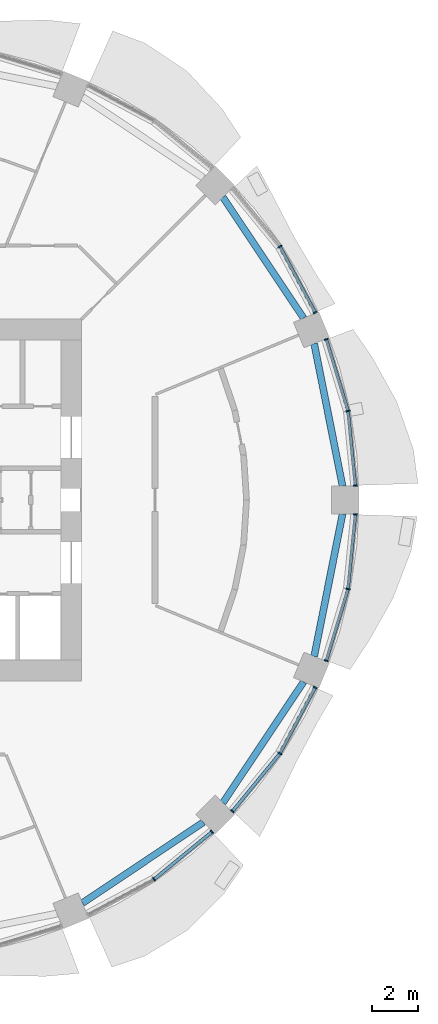
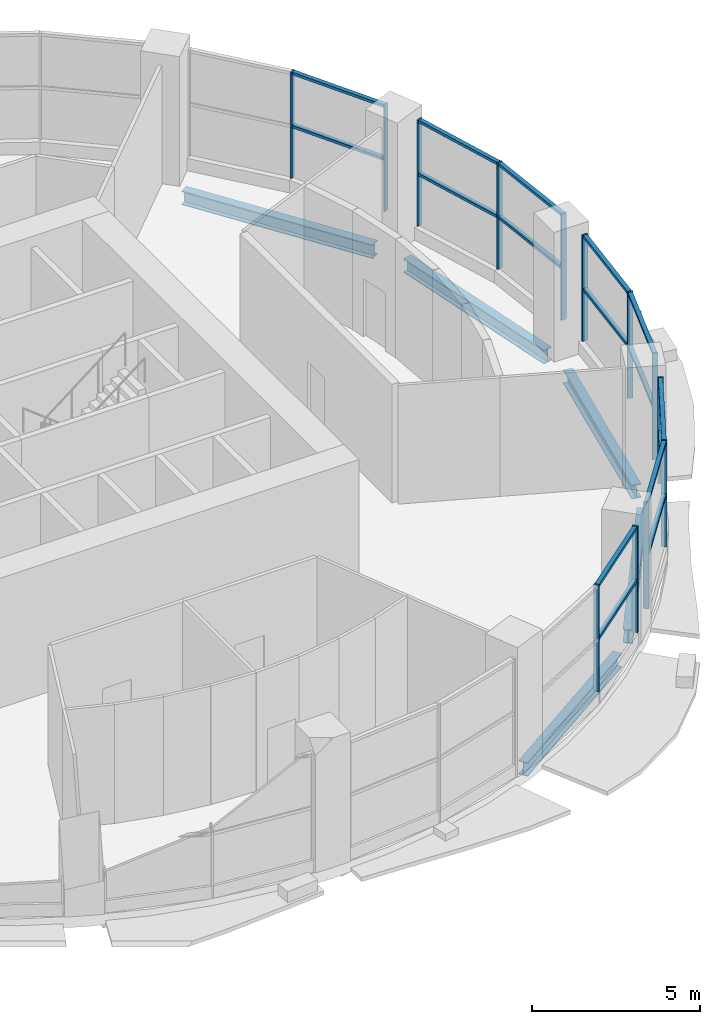
# One storey, part 4 of 14: 29 members, 5 beams, 5 elements without a shape of their own.
"""IFC4 building model written with IfcOpenShell, lengths in metres."""

from ifc_helpers import new_model, si_unit, direction, frame, origin, origin_2d, place, context, subcontext, project, spatial, rectangle, i_section, extrude, material, material_profile, profile_set, type_object, element, aggregate, save


model = new_model("IFC4")

# Units and contexts
model_context = context("Model", 3, precision=1e-05, world=origin(), true_north=direction((0.0, 1.0)))
body_context = subcontext(model_context, "Body", "Model", "MODEL_VIEW")
ifc_project = project(units=[si_unit("LENGTHUNIT", "METRE"), si_unit("AREAUNIT", "SQUARE_METRE"), si_unit("VOLUMEUNIT", "CUBIC_METRE"), si_unit("PLANEANGLEUNIT", "RADIAN"), si_unit("MASSUNIT", "GRAM", prefix="KILO")], contexts=[model_context])

# Site, building, storey
site_placement = place(None, origin())
site = spatial("IfcSite", under=ifc_project, at=site_placement, CompositionType="ELEMENT")
building_placement = place(site_placement, origin())
building = spatial("IfcBuilding", under=site, at=building_placement, Name="Polderwave Tower", CompositionType="ELEMENT")
storey_placement = place(building_placement, frame((0.0, 0.0, 5.199951171875)))
storey = spatial("IfcBuildingStorey", under=building, at=storey_placement, Name="L01", CompositionType="ELEMENT", Elevation=5.199951171875)

# Beams
ifc_material_1 = material(Name="Steel S355", Category="steel")
ifc_material_profile_1 = material_profile(ifc_material_1, i_section(OverallWidth=0.300048828125, OverallDepth=0.5, WebThickness=0.014404296875, FlangeThickness=0.028076171875, at=origin_2d()), Name="HE 500 B")
ifc_profile_set_1 = profile_set([ifc_material_profile_1], Name="Steel S355")
beam_type = type_object("IfcBeamType", Name="RING BEAM HE 500 B", PredefinedType="BEAM", material=ifc_profile_set_1)
for number, where, z_axis, x_axis, name in (
    (1, (19.24072265625, 0.60009765625, -0.64990234375), (-0.195107371928, 0.980781888811, 0.0), (-0.980781888811, -0.195107371928, 0.0), "ST-RB-L01-00"),
    (2, (17.54638671875, 7.91748046875, -0.64990234375), (-0.55556321377, 0.831474302372, 0.0), (-0.831474302372, -0.55556321377, 0.0), "ST-RB-L01-01"),
    (3, (7.91748046875, -17.54638671875, -0.64990234375), (0.831474302372, 0.55556321377, 0.0), (-0.55556321377, 0.831474302372, 0.0), "ST-RB-L01-13"),
    (4, (14.029541015625, -13.180908203125, -0.64990234375), (0.55556321377, 0.831474302372, 0.0), (-0.831474302372, 0.55556321377, 0.0), "ST-RB-L01-14"),
    (5, (18.005615234375, -6.808837890625, -0.64990234375), (0.195107371928, 0.980781888811, 0.0), (-0.980781888811, 0.195107371928, 0.0), "ST-RB-L01-15"),
):
    element("IfcBeam", number, at=place(storey_placement, frame(where, z_axis=z_axis, x_axis=x_axis)), inside=storey, type_object=beam_type, Name=name, PredefinedType="BEAM", context=body_context, shape_type="SweptSolid", body=[
        extrude(i_section(OverallWidth=0.300048828125, OverallDepth=0.5, WebThickness=0.014404296875, FlangeThickness=0.028076171875, at=origin_2d()), origin(), (0.0, 0.0, 1.0), 6.330322265625),
    ])

# Curtain wall, members
ifc_material_2 = material(Name="Aluminium 6063-T6 and glass", Category="aluminium")
curtain_wall_type = type_object("IfcCurtainWallType", Name="Shopfront glazing wall", PredefinedType="NOTDEFINED", material=ifc_material_2)
curtain_wall_1_placement = place(storey_placement, origin())
curtain_wall_1 = element("IfcCurtainWall", 6, at=curtain_wall_1_placement, inside=storey, type_object=curtain_wall_type, Name="CW1 L01 00", PredefinedType="NOTDEFINED")
ifc_material_3 = material(Name="Aluminium 6063-T6", Category="aluminium")
ifc_material_profile_2 = material_profile(ifc_material_3, rectangle(XDim=0.179931640625, YDim=0.06005859375, at=origin_2d()), Name="AL 60x180")
ifc_profile_set_2 = profile_set([ifc_material_profile_2], Name="Aluminium 6063-T6")
member_type_1 = type_object("IfcMemberType", Name="Shopfront glazing mullion 60x180", PredefinedType="MULLION", material=ifc_profile_set_2)
member_1_placement = place(storey_placement, frame((19.798095703125, 0.6298828125, 0.449951171875), z_axis=(0.0, 0.0, 1.0), x_axis=(-0.99516880385, -0.098178673064, 0.0)))
member_1 = element("IfcMember", 7, at=member_1_placement, type_object=member_type_1, Name="CW1 mullion 1", PredefinedType="MULLION", context=body_context, shape_type="SweptSolid", body=[
    extrude(rectangle(XDim=0.179931640625, YDim=0.06005859375, at=origin_2d()), origin(), (0.0, 0.0, 1.0), 3.85009765625),
])
member_2_placement = place(storey_placement, frame((19.47802734375, 3.8740234375, 0.449951171875), z_axis=(0.0, 0.0, 1.0), x_axis=(-0.980776085899, -0.195136540217, 0.0)))
member_2 = element("IfcMember", 8, at=member_2_placement, type_object=member_type_1, Name="CW1 mullion 2", PredefinedType="MULLION", context=body_context, shape_type="SweptSolid", body=[
    extrude(rectangle(XDim=0.179931640625, YDim=0.06005859375, at=origin_2d()), origin(), (0.0, 0.0, 1.0), 3.85009765625),
])
member_3_placement = place(storey_placement, frame((18.53173828125, 6.994384765625, 0.449951171875), z_axis=(0.0, 0.0, 1.0), x_axis=(-0.956960599094, -0.290217869509, 0.0)))
member_3 = element("IfcMember", 9, at=member_3_placement, type_object=member_type_1, Name="CW1 mullion 3", PredefinedType="MULLION", context=body_context, shape_type="SweptSolid", body=[
    extrude(rectangle(XDim=0.179931640625, YDim=0.06005859375, at=origin_2d()), origin(), (0.0, 0.0, 1.0), 3.85009765625),
])

curtain_wall_2_placement = place(storey_placement, origin())
curtain_wall_2 = element("IfcCurtainWall", 10, at=curtain_wall_2_placement, inside=storey, type_object=curtain_wall_type, Name="CW1 L01 01", PredefinedType="NOTDEFINED")
member_4_placement = place(storey_placement, frame((18.0498046875, 8.158447265625, 0.449951171875), z_axis=(0.0, 0.0, 1.0), x_axis=(-0.881940186716, -0.471361333858, 0.0)))
member_4 = element("IfcMember", 11, at=member_4_placement, type_object=member_type_1, Name="CW1 mullion 1", PredefinedType="MULLION", context=body_context, shape_type="SweptSolid", body=[
    extrude(rectangle(XDim=0.179931640625, YDim=0.06005859375, at=origin_2d()), origin(), (0.0, 0.0, 1.0), 3.85009765625),
])
member_5_placement = place(storey_placement, frame((16.512939453125, 11.033935546875, 0.449951171875), z_axis=(0.0, 0.0, 1.0), x_axis=(-0.831480278332, -0.555554269847, 0.0)))
member_5 = element("IfcMember", 12, at=member_5_placement, type_object=member_type_1, Name="CW1 mullion 2", PredefinedType="MULLION", context=body_context, shape_type="SweptSolid", body=[
    extrude(rectangle(XDim=0.179931640625, YDim=0.06005859375, at=origin_2d()), origin(), (0.0, 0.0, 1.0), 3.85009765625),
])

curtain_wall_3_placement = place(storey_placement, origin())
curtain_wall_3 = element("IfcCurtainWall", 13, at=curtain_wall_3_placement, inside=storey, type_object=curtain_wall_type, Name="CW1 L01 13", PredefinedType="NOTDEFINED")
member_6_placement = place(storey_placement, frame((11.033935546875, -16.512939453125, 0.449951171875), z_axis=(0.0, 0.0, 1.0), x_axis=(-0.555554269847, 0.831480278332, 0.0)))
member_6 = element("IfcMember", 14, at=member_6_placement, type_object=member_type_1, Name="CW1 mullion 2", PredefinedType="MULLION", context=body_context, shape_type="SweptSolid", body=[
    extrude(rectangle(XDim=0.179931640625, YDim=0.06005859375, at=origin_2d()), origin(), (0.0, 0.0, 1.0), 3.85009765625),
])
member_7_placement = place(storey_placement, frame((13.5537109375, -14.445068359375, 0.449951171875), z_axis=(0.0, 0.0, 1.0), x_axis=(-0.634395982475, 0.773008238908, 0.0)))
member_7 = element("IfcMember", 15, at=member_7_placement, type_object=member_type_1, Name="CW1 mullion 3", PredefinedType="MULLION", context=body_context, shape_type="SweptSolid", body=[
    extrude(rectangle(XDim=0.179931640625, YDim=0.06005859375, at=origin_2d()), origin(), (0.0, 0.0, 1.0), 3.85009765625),
])

curtain_wall_4_placement = place(storey_placement, origin())
curtain_wall_4 = element("IfcCurtainWall", 16, at=curtain_wall_4_placement, inside=storey, type_object=curtain_wall_type, Name="CW1 L01 14", PredefinedType="NOTDEFINED")
member_8_placement = place(storey_placement, frame((14.445068359375, -13.5537109375, 0.449951171875), z_axis=(0.0, 0.0, 1.0), x_axis=(-0.773008238908, 0.634395982475, 0.0)))
member_8 = element("IfcMember", 17, at=member_8_placement, type_object=member_type_1, Name="CW1 mullion 1", PredefinedType="MULLION", context=body_context, shape_type="SweptSolid", body=[
    extrude(rectangle(XDim=0.179931640625, YDim=0.06005859375, at=origin_2d()), origin(), (0.0, 0.0, 1.0), 3.85009765625),
])
member_9_placement = place(storey_placement, frame((16.512939453125, -11.033935546875, 0.449951171875), z_axis=(0.0, 0.0, 1.0), x_axis=(-0.831480278332, 0.555554269847, 0.0)))
member_9 = element("IfcMember", 18, at=member_9_placement, type_object=member_type_1, Name="CW1 mullion 2", PredefinedType="MULLION", context=body_context, shape_type="SweptSolid", body=[
    extrude(rectangle(XDim=0.179931640625, YDim=0.06005859375, at=origin_2d()), origin(), (0.0, 0.0, 1.0), 3.85009765625),
])
member_10_placement = place(storey_placement, frame((18.0498046875, -8.158447265625, 0.449951171875), z_axis=(0.0, 0.0, 1.0), x_axis=(-0.881940186716, 0.471361333858, 0.0)))
member_10 = element("IfcMember", 19, at=member_10_placement, type_object=member_type_1, Name="CW1 mullion 3", PredefinedType="MULLION", context=body_context, shape_type="SweptSolid", body=[
    extrude(rectangle(XDim=0.179931640625, YDim=0.06005859375, at=origin_2d()), origin(), (0.0, 0.0, 1.0), 3.85009765625),
])

curtain_wall_5_placement = place(storey_placement, origin())
curtain_wall_5 = element("IfcCurtainWall", 20, at=curtain_wall_5_placement, inside=storey, type_object=curtain_wall_type, Name="CW1 L01 15", PredefinedType="NOTDEFINED")
member_11_placement = place(storey_placement, frame((18.53173828125, -6.994384765625, 0.449951171875), z_axis=(0.0, 0.0, 1.0), x_axis=(-0.956960599094, 0.290217869509, 0.0)))
member_11 = element("IfcMember", 21, at=member_11_placement, type_object=member_type_1, Name="CW1 mullion 1", PredefinedType="MULLION", context=body_context, shape_type="SweptSolid", body=[
    extrude(rectangle(XDim=0.179931640625, YDim=0.06005859375, at=origin_2d()), origin(), (0.0, 0.0, 1.0), 3.85009765625),
])
member_12_placement = place(storey_placement, frame((19.47802734375, -3.8740234375, 0.449951171875), z_axis=(0.0, 0.0, 1.0), x_axis=(-0.980776085899, 0.195136540217, 0.0)))
member_12 = element("IfcMember", 22, at=member_12_placement, type_object=member_type_1, Name="CW1 mullion 2", PredefinedType="MULLION", context=body_context, shape_type="SweptSolid", body=[
    extrude(rectangle(XDim=0.179931640625, YDim=0.06005859375, at=origin_2d()), origin(), (0.0, 0.0, 1.0), 3.85009765625),
])
member_13_placement = place(storey_placement, frame((19.798095703125, -0.6298828125, 0.449951171875), z_axis=(0.0, 0.0, 1.0), x_axis=(-0.99516880385, 0.098178673064, 0.0)))
member_13 = element("IfcMember", 23, at=member_13_placement, type_object=member_type_1, Name="CW1 mullion 3", PredefinedType="MULLION", context=body_context, shape_type="SweptSolid", body=[
    extrude(rectangle(XDim=0.179931640625, YDim=0.06005859375, at=origin_2d()), origin(), (0.0, 0.0, 1.0), 3.85009765625),
])

# Member
ifc_material_profile_3 = material_profile(ifc_material_3, rectangle(XDim=0.139892578125, YDim=0.10009765625, at=origin_2d()), Name="AL 100x140")
ifc_profile_set_3 = profile_set([ifc_material_profile_3], Name="Aluminium 6063-T6")
member_type_2 = type_object("IfcMemberType", Name="Shopfront glazing transom 100x140", PredefinedType="USERDEFINED", material=ifc_profile_set_3)
member_14_placement = place(storey_placement, frame((19.795166015625, 0.65966796875, 2.324951171875), z_axis=(-0.098196730628, 0.99516702221, 0.0), x_axis=(-0.99516702221, -0.098196730628, 0.0)))
member_14 = element("IfcMember", 24, at=member_14_placement, type_object=member_type_2, Name="CW1 transom 1", ObjectType="TRANSOM", PredefinedType="USERDEFINED", context=body_context, shape_type="SweptSolid", body=[
    extrude(rectangle(XDim=0.139892578125, YDim=0.10009765625, at=origin_2d()), origin(), (0.0, 0.0, 1.0), 3.19970703125),
])

member_15_placement = place(storey_placement, frame((19.795166015625, 0.65966796875, 4.25), z_axis=(-0.098196730628, 0.99516702221, 0.0), x_axis=(-0.99516702221, -0.098196730628, 0.0)))
member_15 = element("IfcMember", 25, at=member_15_placement, type_object=member_type_2, Name="CW1 transom 2", ObjectType="TRANSOM", PredefinedType="USERDEFINED", context=body_context, shape_type="SweptSolid", body=[
    extrude(rectangle(XDim=0.139892578125, YDim=0.10009765625, at=origin_2d()), origin(), (0.0, 0.0, 1.0), 3.19970703125),
])

member_16_placement = place(storey_placement, frame((19.46923828125, 3.902587890625, 2.324951171875), z_axis=(-0.290229671629, 0.95695701978, 0.0), x_axis=(-0.95695701978, -0.290229671629, 0.0)))
member_16 = element("IfcMember", 26, at=member_16_placement, type_object=member_type_2, Name="CW1 transom 3", ObjectType="TRANSOM", PredefinedType="USERDEFINED", context=body_context, shape_type="SweptSolid", body=[
    extrude(rectangle(XDim=0.139892578125, YDim=0.10009765625, at=origin_2d()), origin(), (0.0, 0.0, 1.0), 3.20068359375),
])

member_17_placement = place(storey_placement, frame((19.46923828125, 3.902587890625, 4.25), z_axis=(-0.290229671629, 0.95695701978, 0.0), x_axis=(-0.95695701978, -0.290229671629, 0.0)))
member_17 = element("IfcMember", 27, at=member_17_placement, type_object=member_type_2, Name="CW1 transom 4", ObjectType="TRANSOM", PredefinedType="USERDEFINED", context=body_context, shape_type="SweptSolid", body=[
    extrude(rectangle(XDim=0.139892578125, YDim=0.10009765625, at=origin_2d()), origin(), (0.0, 0.0, 1.0), 3.20068359375),
])

aggregate(curtain_wall_1, [member_1, member_2, member_3, member_14, member_15, member_16, member_17])

member_18_placement = place(storey_placement, frame((18.03564453125, 8.184814453125, 2.324951171875), z_axis=(-0.471336352659, 0.8819535377, 0.0), x_axis=(-0.8819535377, -0.471336352659, 0.0)))
member_18 = element("IfcMember", 28, at=member_18_placement, type_object=member_type_2, Name="CW1 transom 1", ObjectType="TRANSOM", PredefinedType="USERDEFINED", context=body_context, shape_type="SweptSolid", body=[
    extrude(rectangle(XDim=0.139892578125, YDim=0.10009765625, at=origin_2d()), origin(), (0.0, 0.0, 1.0), 3.20068359375),
])

member_19_placement = place(storey_placement, frame((18.03564453125, 8.184814453125, 4.25), z_axis=(-0.471336352659, 0.8819535377, 0.0), x_axis=(-0.8819535377, -0.471336352659, 0.0)))
member_19 = element("IfcMember", 29, at=member_19_placement, type_object=member_type_2, Name="CW1 transom 2", ObjectType="TRANSOM", PredefinedType="USERDEFINED", context=body_context, shape_type="SweptSolid", body=[
    extrude(rectangle(XDim=0.139892578125, YDim=0.10009765625, at=origin_2d()), origin(), (0.0, 0.0, 1.0), 3.20068359375),
])

aggregate(curtain_wall_2, [member_4, member_5, member_18, member_19])

member_20_placement = place(storey_placement, frame((11.05712890625, -16.493896484375, 2.324951171875), z_axis=(0.773021560093, 0.634379750332, 0.0), x_axis=(-0.634379750332, 0.773021560093, 0.0)))
member_20 = element("IfcMember", 30, at=member_20_placement, type_object=member_type_2, Name="CW1 transom 3", ObjectType="TRANSOM", PredefinedType="USERDEFINED", context=body_context, shape_type="SweptSolid", body=[
    extrude(rectangle(XDim=0.139892578125, YDim=0.10009765625, at=origin_2d()), origin(), (0.0, 0.0, 1.0), 3.19970703125),
])

member_21_placement = place(storey_placement, frame((11.05712890625, -16.493896484375, 4.25), z_axis=(0.773021560093, 0.634379750332, 0.0), x_axis=(-0.634379750332, 0.773021560093, 0.0)))
member_21 = element("IfcMember", 31, at=member_21_placement, type_object=member_type_2, Name="CW1 transom 4", ObjectType="TRANSOM", PredefinedType="USERDEFINED", context=body_context, shape_type="SweptSolid", body=[
    extrude(rectangle(XDim=0.139892578125, YDim=0.10009765625, at=origin_2d()), origin(), (0.0, 0.0, 1.0), 3.19970703125),
])

aggregate(curtain_wall_3, [member_6, member_7, member_20, member_21])

member_22_placement = place(storey_placement, frame((14.464111328125, -13.530517578125, 2.324951171875), z_axis=(0.634379750332, 0.773021560093, 0.0), x_axis=(-0.773021560093, 0.634379750332, 0.0)))
member_22 = element("IfcMember", 32, at=member_22_placement, type_object=member_type_2, Name="CW1 transom 1", ObjectType="TRANSOM", PredefinedType="USERDEFINED", context=body_context, shape_type="SweptSolid", body=[
    extrude(rectangle(XDim=0.139892578125, YDim=0.10009765625, at=origin_2d()), origin(), (0.0, 0.0, 1.0), 3.19970703125),
])

member_23_placement = place(storey_placement, frame((14.464111328125, -13.530517578125, 4.25), z_axis=(0.634379750332, 0.773021560093, 0.0), x_axis=(-0.773021560093, 0.634379750332, 0.0)))
member_23 = element("IfcMember", 33, at=member_23_placement, type_object=member_type_2, Name="CW1 transom 2", ObjectType="TRANSOM", PredefinedType="USERDEFINED", context=body_context, shape_type="SweptSolid", body=[
    extrude(rectangle(XDim=0.139892578125, YDim=0.10009765625, at=origin_2d()), origin(), (0.0, 0.0, 1.0), 3.19970703125),
])

member_24_placement = place(storey_placement, frame((16.527099609375, -11.007568359375, 2.324951171875), z_axis=(0.471336352659, 0.8819535377, 0.0), x_axis=(-0.8819535377, 0.471336352659, 0.0)))
member_24 = element("IfcMember", 34, at=member_24_placement, type_object=member_type_2, Name="CW1 transom 3", ObjectType="TRANSOM", PredefinedType="USERDEFINED", context=body_context, shape_type="SweptSolid", body=[
    extrude(rectangle(XDim=0.139892578125, YDim=0.10009765625, at=origin_2d()), origin(), (0.0, 0.0, 1.0), 3.20068359375),
])

member_25_placement = place(storey_placement, frame((16.527099609375, -11.007568359375, 4.25), z_axis=(0.471336352659, 0.8819535377, 0.0), x_axis=(-0.8819535377, 0.471336352659, 0.0)))
member_25 = element("IfcMember", 35, at=member_25_placement, type_object=member_type_2, Name="CW1 transom 4", ObjectType="TRANSOM", PredefinedType="USERDEFINED", context=body_context, shape_type="SweptSolid", body=[
    extrude(rectangle(XDim=0.139892578125, YDim=0.10009765625, at=origin_2d()), origin(), (0.0, 0.0, 1.0), 3.20068359375),
])

aggregate(curtain_wall_4, [member_8, member_9, member_10, member_22, member_23, member_24, member_25])

member_26_placement = place(storey_placement, frame((18.540283203125, -6.965576171875, 2.324951171875), z_axis=(0.290229671629, 0.95695701978, 0.0), x_axis=(-0.95695701978, 0.290229671629, 0.0)))
member_26 = element("IfcMember", 36, at=member_26_placement, type_object=member_type_2, Name="CW1 transom 1", ObjectType="TRANSOM", PredefinedType="USERDEFINED", context=body_context, shape_type="SweptSolid", body=[
    extrude(rectangle(XDim=0.139892578125, YDim=0.10009765625, at=origin_2d()), origin(), (0.0, 0.0, 1.0), 3.20068359375),
])

member_27_placement = place(storey_placement, frame((18.540283203125, -6.965576171875, 4.25), z_axis=(0.290229671629, 0.95695701978, 0.0), x_axis=(-0.95695701978, 0.290229671629, 0.0)))
member_27 = element("IfcMember", 37, at=member_27_placement, type_object=member_type_2, Name="CW1 transom 2", ObjectType="TRANSOM", PredefinedType="USERDEFINED", context=body_context, shape_type="SweptSolid", body=[
    extrude(rectangle(XDim=0.139892578125, YDim=0.10009765625, at=origin_2d()), origin(), (0.0, 0.0, 1.0), 3.20068359375),
])

member_28_placement = place(storey_placement, frame((19.48095703125, -3.843994140625, 2.324951171875), z_axis=(0.098196730628, 0.99516702221, 0.0), x_axis=(-0.99516702221, 0.098196730628, 0.0)))
member_28 = element("IfcMember", 38, at=member_28_placement, type_object=member_type_2, Name="CW1 transom 3", ObjectType="TRANSOM", PredefinedType="USERDEFINED", context=body_context, shape_type="SweptSolid", body=[
    extrude(rectangle(XDim=0.139892578125, YDim=0.10009765625, at=origin_2d()), origin(), (0.0, 0.0, 1.0), 3.19970703125),
])

member_29_placement = place(storey_placement, frame((19.48095703125, -3.843994140625, 4.25), z_axis=(0.098196730628, 0.99516702221, 0.0), x_axis=(-0.99516702221, 0.098196730628, 0.0)))
member_29 = element("IfcMember", 39, at=member_29_placement, type_object=member_type_2, Name="CW1 transom 4", ObjectType="TRANSOM", PredefinedType="USERDEFINED", context=body_context, shape_type="SweptSolid", body=[
    extrude(rectangle(XDim=0.139892578125, YDim=0.10009765625, at=origin_2d()), origin(), (0.0, 0.0, 1.0), 3.19970703125),
])

aggregate(curtain_wall_5, [member_11, member_12, member_13, member_26, member_27, member_28, member_29])

save(model, "model.ifc")
